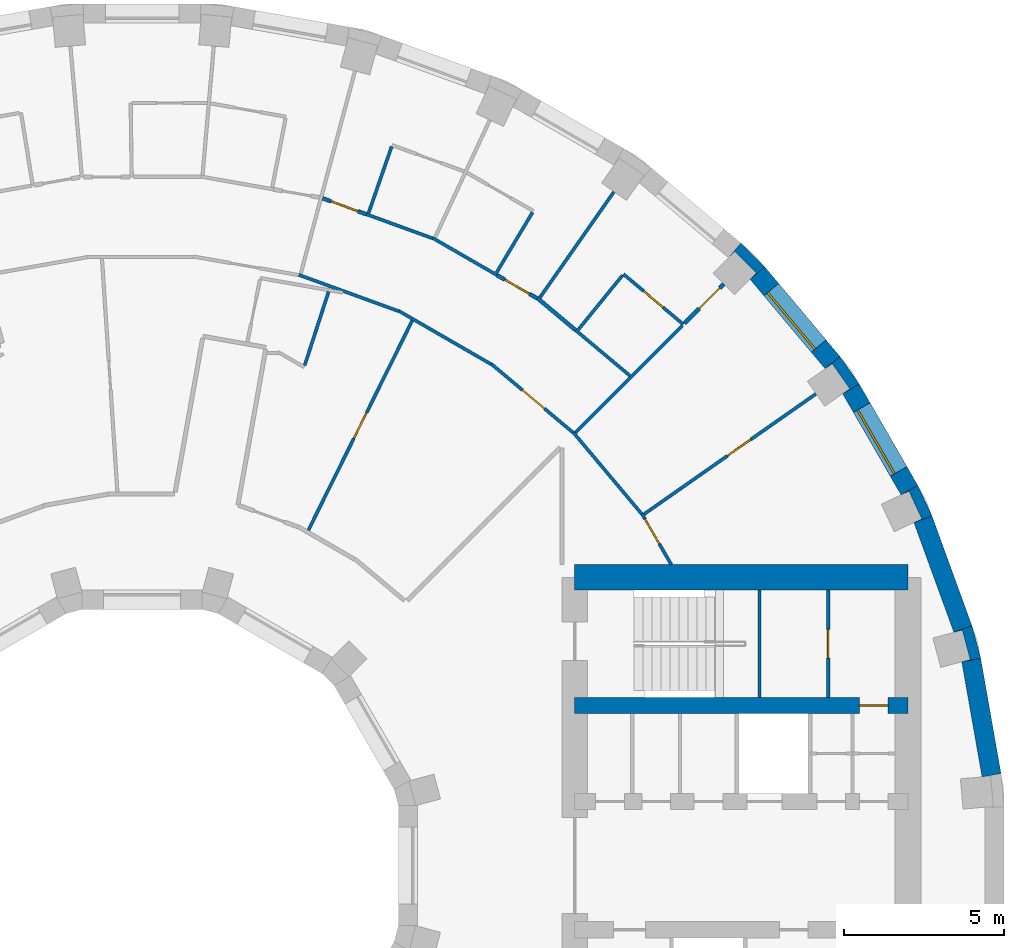
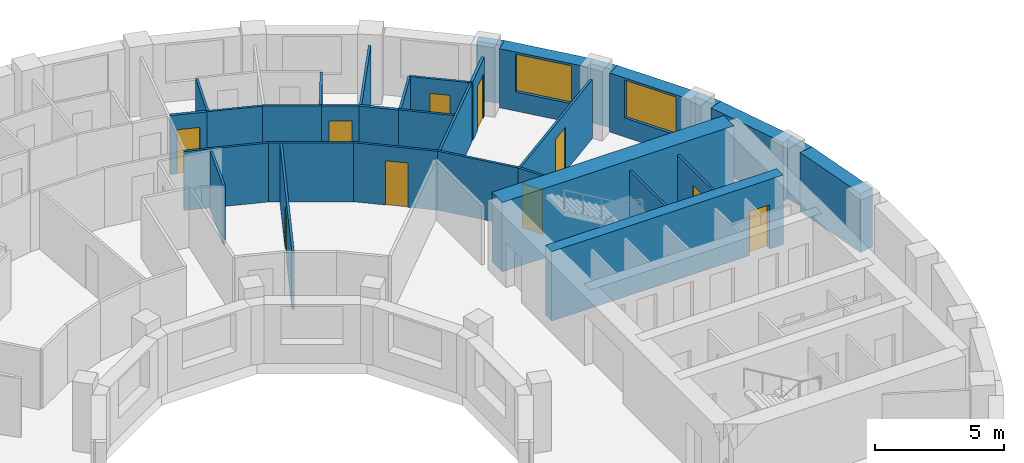
# One storey, part 14 of 16: 33 walls, 10 doors, 2 windows, 12 openings.
"""IFC4 building model written with IfcOpenShell, lengths in metres."""

from ifc_helpers import new_model, si_unit, direction, frame, frame_2d, origin, place, context, subcontext, project, spatial, polyline, rectangle, outline, extrude, material, layer, layer_set, type_object, element, fill, save


model = new_model("IFC4")

# Units and contexts
model_context = context("Model", 3, precision=1e-05, world=origin(), true_north=direction((0.0, 1.0)))
body_context = subcontext(model_context, "Body", "Model", "MODEL_VIEW")
ifc_project = project(units=[si_unit("LENGTHUNIT", "METRE"), si_unit("AREAUNIT", "SQUARE_METRE"), si_unit("VOLUMEUNIT", "CUBIC_METRE"), si_unit("PLANEANGLEUNIT", "RADIAN"), si_unit("MASSUNIT", "GRAM", prefix="KILO")], contexts=[model_context])

# Site, building, storey
site_placement = place(None, origin())
site = spatial("IfcSite", under=ifc_project, at=site_placement, CompositionType="ELEMENT")
building_placement = place(site_placement, origin())
building = spatial("IfcBuilding", under=site, at=building_placement, Name="Saqina Gate Tower", CompositionType="ELEMENT")
storey_placement = place(building_placement, frame((0.0, 0.0, 141.39990234375)))
storey = spatial("IfcBuildingStorey", under=building, at=storey_placement, Name="L40", CompositionType="ELEMENT", Elevation=141.39990234375)

# Walls
ifc_material_1 = material(Name="Brick masonry (buff)", Category="masonry")
wall_type_1 = type_object("IfcWallType", Name="BRICK PIER COPING BUFF", PredefinedType="SOLIDWALL", material=ifc_material_1)
wall_1_placement = place(storey_placement, origin())
element("IfcWall", 1, at=wall_1_placement, inside=storey, type_object=wall_type_1, Name="Pier cap L40 column 2", PredefinedType="SOLIDWALL", context=body_context, shape_type="SweptSolid", body=[
    extrude(outline(polyline([(26.171875, 6.466796875), (25.89892578125, 7.485595703125), (25.335205078125, 7.2802734375), (25.5947265625, 7.349853515625), (25.8408203125, 6.43212890625), (25.5810546875, 6.36279296875), (26.171875, 6.466796875)])), origin(), (0.0, 0.0, 1.0), 2.800048828125),
])
wall_2_placement = place(storey_placement, origin())
element("IfcWall", 2, at=wall_2_placement, inside=storey, type_object=wall_type_1, Name="Pier cap L40 column 3", PredefinedType="SOLIDWALL", context=body_context, shape_type="SweptSolid", body=[
    extrude(outline(polyline([(24.6513671875, 10.913330078125), (24.205810546875, 11.869140625), (23.68603515625, 11.569091796875), (23.9296875, 11.6826171875), (24.331298828125, 10.82177734375), (24.08740234375, 10.7080078125), (24.6513671875, 10.913330078125)])), origin(), (0.0, 0.0, 1.0), 2.800048828125),
])
wall_3_placement = place(storey_placement, origin())
element("IfcWall", 3, at=wall_3_placement, inside=storey, type_object=wall_type_1, Name="Pier cap L40 column 4", PredefinedType="SOLIDWALL", context=body_context, shape_type="SweptSolid", body=[
    extrude(outline(polyline([(21.77685546875, 15.89208984375), (21.317138671875, 15.50634765625), (21.53759765625, 15.66064453125), (22.08251953125, 14.88232421875), (21.862060546875, 14.728271484375), (22.3818359375, 15.0283203125), (21.77685546875, 15.89208984375)])), origin(), (0.0, 0.0, 1.0), 2.800048828125),
])
wall_4_placement = place(storey_placement, origin())
element("IfcWall", 4, at=wall_4_placement, inside=storey, type_object=wall_type_1, Name="Pier cap L40 column 5", PredefinedType="SOLIDWALL", context=body_context, shape_type="SweptSolid", body=[
    extrude(outline(polyline([(19.43212890625, 18.686279296875), (18.686279296875, 19.43212890625), (18.30078125, 18.972412109375), (18.49072265625, 19.16259765625), (19.16259765625, 18.49072265625), (18.972412109375, 18.30078125), (19.43212890625, 18.686279296875)])), origin(), (0.0, 0.0, 1.0), 2.800048828125),
])

# Wall, opening, door
ifc_material_2 = material(Name="Gypsum board on steel studs", Category="steel")
ifc_layer_1 = layer(ifc_material_2, 0.10009765625)
ifc_layer_set_1 = layer_set([ifc_layer_1], Name="CORE PARTITION")
wall_type_2 = type_object("IfcWallType", Name="CORE PARTITION", PredefinedType="PARTITIONING", material=ifc_layer_set_1)
wall_5_placement = place(storey_placement, frame((21.409912109375, 5.25, 0.0), z_axis=(0.0, 0.0, 1.0), x_axis=(0.0, 1.0, 0.0)))
wall_5 = element("IfcWall", 5, at=wall_5_placement, inside=storey, type_object=wall_type_2, Name="L40-CP-E14", PredefinedType="PARTITIONING", context=body_context, shape_type="SweptSolid", body=[
    extrude(rectangle(XDim=3.35009765625, YDim=0.10009765625, at=frame_2d((1.675048828125, 0.0))), origin(), (0.0, 0.0, 1.0), 2.800048828125),
])
opening_1_placement = place(wall_5_placement, frame((1.22509765625, 0.0, 0.0)))
opening_1 = element("IfcOpeningElement", 6, at=opening_1_placement, cuts=wall_5, Name="Opening G12-D100", PredefinedType="OPENING", context=body_context, shape_type="SweptSolid", body=[
    extrude(rectangle(XDim=0.89990234375, YDim=2.10009765625, at=frame_2d((0.449951171875, 1.050048828125))), frame((0.0, 0.06201171875, 0.0), z_axis=(0.0, -1.0, 0.0), x_axis=(1.0, 0.0, 0.0)), (0.0, 0.0, 1.0), 0.1240234375),
])
ifc_material_3 = material(Name="Steel-framed fire door leaf, EI 60", Category="steel")
door_type_1 = type_object("IfcDoorType", Name="SERVICE ROOM DOOR 900", OperationType="SINGLE_SWING_LEFT", PredefinedType="DOOR", material=ifc_material_3)
door_1_placement = place(opening_1_placement, origin())
door_1 = element("IfcDoor", 7, at=door_1_placement, inside=storey, type_object=door_type_1, Name="L40-CD-E11", OperationType="SINGLE_SWING_RIGHT", OverallHeight=2.10009765625, OverallWidth=0.89990234375, PredefinedType="DOOR", context=body_context, shape_type="SweptSolid", body=[
    extrude(rectangle(XDim=0.89990234375, YDim=2.10009765625, at=frame_2d((0.449951171875, 1.050048828125))), frame((0.0, 0.02490234375, 0.0), z_axis=(0.0, -1.0, 0.0), x_axis=(1.0, 0.0, 0.0)), (0.0, 0.0, 1.0), 0.050048828125),
])
fill(opening_1, door_1)

# Wall, opening, window
ifc_material_4 = material(Name="Brick masonry (buff)", Category="masonry")
ifc_layer_2 = layer(ifc_material_4, 0.60009765625)
ifc_layer_set_2 = layer_set([ifc_layer_2], Name="FW-BRICK-BUFF")
wall_type_3 = type_object("IfcWallType", Name="FW-BRICK-BUFF", PredefinedType="SOLIDWALL", material=ifc_layer_set_2)
wall_6_placement = place(storey_placement, frame((23.94580078125, 11.718994140625, 0.0), z_axis=(0.0, 0.0, 1.0), x_axis=(-0.499954196102, 0.866051847062, 0.0)))
wall_6 = element("IfcWall", 8, at=wall_6_placement, inside=storey, type_object=wall_type_3, Name="Facade wall L40 facet 3", PredefinedType="SOLIDWALL", context=body_context, shape_type="SweptSolid", body=[
    extrude(rectangle(XDim=3.647705078125, YDim=0.60009765625, at=frame_2d((1.82373046875, 0.0))), origin(), (0.0, 0.0, 1.0), 2.800048828125),
])
opening_2_placement = place(wall_6_placement, frame((0.673828125, 0.0, 0.89990234375)))
opening_2 = element("IfcOpeningElement", 9, at=opening_2_placement, cuts=wall_6, Name="Opening G12-W01", PredefinedType="OPENING", context=body_context, shape_type="SweptSolid", body=[
    extrude(rectangle(XDim=2.300048828125, YDim=1.800048828125, at=frame_2d((1.14990234375, 0.89990234375))), frame((0.0, 0.31201171875, 0.0), z_axis=(0.0, -1.0, 0.0), x_axis=(1.0, 0.0, 0.0)), (0.0, 0.0, 1.0), 0.6240234375),
])
ifc_material_5 = material(Name="Aluminium glazing", Category="aluminium")
window_type = type_object("IfcWindowType", Name="WN-B", PartitioningType="SINGLE_PANEL", PredefinedType="WINDOW", material=ifc_material_5)
window_1_placement = place(opening_2_placement, origin())
window_1 = element("IfcWindow", 10, at=window_1_placement, inside=storey, type_object=window_type, Name="Window L40 facet 3", OverallHeight=1.800048828125, OverallWidth=2.300048828125, PartitioningType="SINGLE_PANEL", PredefinedType="WINDOW", context=body_context, shape_type="SweptSolid", body=[
    extrude(rectangle(XDim=2.300048828125, YDim=1.800048828125, at=frame_2d((1.14990234375, 0.89990234375))), frame((0.0, 0.179931640625, 0.0), z_axis=(0.0, -1.0, 0.0), x_axis=(1.0, 0.0, 0.0)), (0.0, 0.0, 1.0), 0.06005859375),
])
fill(opening_2, window_1)

wall_7_placement = place(storey_placement, frame((21.547119140625, 15.69921875, 0.0), z_axis=(0.0, 0.0, 1.0), x_axis=(-0.642774476932, 0.766055462616, 0.0)))
wall_7 = element("IfcWall", 11, at=wall_7_placement, inside=storey, type_object=wall_type_3, Name="Facade wall L40 facet 4", PredefinedType="SOLIDWALL", context=body_context, shape_type="SweptSolid", body=[
    extrude(rectangle(XDim=3.647705078125, YDim=0.60009765625, at=frame_2d((1.82373046875, 0.0))), origin(), (0.0, 0.0, 1.0), 2.800048828125),
])
opening_3_placement = place(wall_7_placement, frame((0.673828125, 0.0, 0.89990234375)))
opening_3 = element("IfcOpeningElement", 12, at=opening_3_placement, cuts=wall_7, Name="Opening G12-W02", PredefinedType="OPENING", context=body_context, shape_type="SweptSolid", body=[
    extrude(rectangle(XDim=2.300048828125, YDim=1.800048828125, at=frame_2d((1.14990234375, 0.89990234375))), frame((0.0, 0.31201171875, 0.0), z_axis=(0.0, -1.0, 0.0), x_axis=(1.0, 0.0, 0.0)), (0.0, 0.0, 1.0), 0.6240234375),
])
window_2_placement = place(opening_3_placement, origin())
window_2 = element("IfcWindow", 13, at=window_2_placement, inside=storey, type_object=window_type, Name="Window L40 facet 4", OverallHeight=1.800048828125, OverallWidth=2.300048828125, PartitioningType="SINGLE_PANEL", PredefinedType="WINDOW", context=body_context, shape_type="SweptSolid", body=[
    extrude(rectangle(XDim=2.300048828125, YDim=1.800048828125, at=frame_2d((1.14990234375, 0.89990234375))), frame((0.0, 0.179931640625, 0.0), z_axis=(0.0, -1.0, 0.0), x_axis=(1.0, 0.0, 0.0)), (0.0, 0.0, 1.0), 0.06005859375),
])
fill(opening_3, window_2)

# Walls
ifc_material_6 = material(Name="Glazed ceramic tile", Category="ceramic")
ifc_layer_3 = layer(ifc_material_6, 0.60009765625)
ifc_layer_set_3 = layer_set([ifc_layer_3], Name="FW-TILE")
wall_type_4 = type_object("IfcWallType", Name="FW-TILE", PredefinedType="SOLIDWALL", material=ifc_layer_set_3)
wall_8_placement = place(storey_placement, frame((26.510009765625, 2.822265625, 0.0), z_axis=(0.0, 0.0, 1.0), x_axis=(-0.173670796382, 0.984803764455, 0.0)))
element("IfcWall", 14, at=wall_8_placement, inside=storey, type_object=wall_type_4, Name="Facade wall L40 facet 1", PredefinedType="SOLIDWALL", context=body_context, shape_type="SweptSolid", body=[
    extrude(rectangle(XDim=3.64794921875, YDim=0.60009765625, at=frame_2d((1.823974609375, 0.0))), origin(), (0.0, 0.0, 1.0), 2.800048828125),
])
ifc_material_7 = material(Name="Glazed ceramic tile (dark blue)", Category="ceramic")
ifc_layer_4 = layer(ifc_material_7, 0.60009765625)
ifc_layer_set_4 = layer_set([ifc_layer_4], Name="FW-TILE-CB")
wall_type_5 = type_object("IfcWallType", Name="FW-TILE-CB", PredefinedType="SOLIDWALL", material=ifc_layer_set_4)
wall_9_placement = place(storey_placement, frame((25.616943359375, 7.3828125, 0.0), z_axis=(0.0, 0.0, 1.0), x_axis=(-0.341990236633, 0.939703505393, 0.0)))
element("IfcWall", 15, at=wall_9_placement, inside=storey, type_object=wall_type_5, Name="Facade wall L40 facet 2", PredefinedType="SOLIDWALL", context=body_context, shape_type="SweptSolid", body=[
    extrude(rectangle(XDim=3.64794921875, YDim=0.60009765625, at=frame_2d((1.823974609375, 0.0))), origin(), (0.0, 0.0, 1.0), 2.800048828125),
])

# Wall, opening, door
ifc_material_8 = material(Name="Gypsum board on steel studs, 100 mm", Category="steel")
ifc_layer_5 = layer(ifc_material_8, 0.10009765625)
ifc_layer_set_5 = layer_set([ifc_layer_5], Name="PARTITION 100")
wall_type_6 = type_object("IfcWallType", Name="PARTITION 100", PredefinedType="PARTITIONING", material=ifc_layer_set_5)
wall_10_placement = place(storey_placement, frame((15.5966796875, 10.98291015625, 0.0), z_axis=(0.0, 0.0, 1.0), x_axis=(0.500084239528, -0.865976762607, 0.0)))
wall_10 = element("IfcWall", 16, at=wall_10_placement, inside=storey, type_object=wall_type_6, Name="PARTITION PW3-12", PredefinedType="PARTITIONING", context=body_context, shape_type="SweptSolid", body=[
    extrude(rectangle(XDim=1.830322265625, YDim=0.10009765625, at=frame_2d((0.9150390625, 0.0))), origin(), (0.0, 0.0, 1.0), 2.800048828125),
])
opening_4_placement = place(wall_10_placement, frame((0.1904296875, 0.0, 0.0)))
opening_4 = element("IfcOpeningElement", 17, at=opening_4_placement, cuts=wall_10, Name="Opening G12-D01", PredefinedType="OPENING", context=body_context, shape_type="SweptSolid", body=[
    extrude(rectangle(XDim=0.89990234375, YDim=2.10009765625, at=frame_2d((0.449951171875, 1.050048828125))), frame((0.0, 0.06201171875, 0.0), z_axis=(0.0, -1.0, 0.0), x_axis=(1.0, 0.0, 0.0)), (0.0, 0.0, 1.0), 0.1240234375),
])
ifc_material_9 = material(Name="Timber door leaf, 900 mm", Category="wood")
door_type_2 = type_object("IfcDoorType", Name="DOOR 900 TIMBER", OperationType="SINGLE_SWING_LEFT", PredefinedType="DOOR", material=ifc_material_9)
door_2_placement = place(opening_4_placement, frame((0.89990234375, 0.0, 0.0), z_axis=(0.0, 0.0, 1.0), x_axis=(-1.0, 0.0, 0.0)))
door_2 = element("IfcDoor", 18, at=door_2_placement, inside=storey, type_object=door_type_2, Name="DOOR G12-D01", OperationType="SINGLE_SWING_LEFT", OverallHeight=2.10009765625, OverallWidth=0.89990234375, PredefinedType="DOOR", context=body_context, shape_type="SweptSolid", body=[
    extrude(rectangle(XDim=0.89990234375, YDim=2.10009765625, at=frame_2d((0.449951171875, 1.050048828125))), frame((0.0, 0.02490234375, 0.0), z_axis=(0.0, -1.0, 0.0), x_axis=(1.0, 0.0, 0.0)), (0.0, 0.0, 1.0), 0.050048828125),
])
fill(opening_4, door_2)

# Wall
wall_11_placement = place(storey_placement, frame((13.452392578125, 13.52392578125, 0.0), z_axis=(0.0, 0.0, 1.0), x_axis=(0.642888943472, -0.765959402554, 0.0)))
element("IfcWall", 19, at=wall_11_placement, inside=storey, type_object=wall_type_6, Name="PARTITION PW3-19", PredefinedType="PARTITIONING", context=body_context, shape_type="SweptSolid", body=[
    extrude(rectangle(XDim=3.32470703125, YDim=0.10009765625, at=frame_2d((1.662353515625, 0.0))), origin(), (0.0, 0.0, 1.0), 2.800048828125),
])

# Wall, opening, door
wall_12_placement = place(storey_placement, frame((10.900146484375, 15.654541015625, 0.0), z_axis=(0.0, 0.0, 1.0), x_axis=(0.765959402554, -0.642888943472, 0.0)))
wall_12 = element("IfcWall", 20, at=wall_12_placement, inside=storey, type_object=wall_type_6, Name="PARTITION PW3-29", PredefinedType="PARTITIONING", context=body_context, shape_type="SweptSolid", body=[
    extrude(rectangle(XDim=3.32470703125, YDim=0.10009765625, at=frame_2d((1.662353515625, 0.0))), origin(), (0.0, 0.0, 1.0), 2.800048828125),
])
opening_5_placement = place(wall_12_placement, frame((1.2626953125, 0.0, 0.0)))
opening_5 = element("IfcOpeningElement", 21, at=opening_5_placement, cuts=wall_12, Name="Opening G12-D05", PredefinedType="OPENING", context=body_context, shape_type="SweptSolid", body=[
    extrude(rectangle(XDim=0.89990234375, YDim=2.10009765625, at=frame_2d((0.449951171875, 1.050048828125))), frame((0.0, 0.06201171875, 0.0), z_axis=(0.0, -1.0, 0.0), x_axis=(1.0, 0.0, 0.0)), (0.0, 0.0, 1.0), 0.1240234375),
])
door_3_placement = place(opening_5_placement, frame((0.89990234375, 0.0, 0.0), z_axis=(0.0, 0.0, 1.0), x_axis=(-1.0, 0.0, 0.0)))
door_3 = element("IfcDoor", 22, at=door_3_placement, inside=storey, type_object=door_type_2, Name="DOOR G12-D05", OperationType="SINGLE_SWING_LEFT", OverallHeight=2.10009765625, OverallWidth=0.89990234375, PredefinedType="DOOR", context=body_context, shape_type="SweptSolid", body=[
    extrude(rectangle(XDim=0.89990234375, YDim=2.10009765625, at=frame_2d((0.449951171875, 1.050048828125))), frame((0.0, 0.02490234375, 0.0), z_axis=(0.0, -1.0, 0.0), x_axis=(1.0, 0.0, 0.0)), (0.0, 0.0, 1.0), 0.050048828125),
])
fill(opening_5, door_3)

# Wall
wall_13_placement = place(storey_placement, frame((13.53173828125, 16.708251953125, 0.0), z_axis=(0.0, 0.0, 1.0), x_axis=(0.766038513467, -0.642794676305, 0.0)))
element("IfcWall", 23, at=wall_13_placement, inside=storey, type_object=wall_type_6, Name="PARTITION PW3-30", PredefinedType="PARTITIONING", context=body_context, shape_type="SweptSolid", body=[
    extrude(rectangle(XDim=2.204833984375, YDim=0.10009765625, at=frame_2d((1.1025390625, 0.0))), origin(), (0.0, 0.0, 1.0), 2.800048828125),
])

# Wall, opening, door
wall_14_placement = place(storey_placement, frame((15.02197265625, 18.4599609375, 0.0), z_axis=(0.0, 0.0, 1.0), x_axis=(0.765953139847, -0.642896404997, 0.0)))
wall_14 = element("IfcWall", 24, at=wall_14_placement, inside=storey, type_object=wall_type_6, Name="PARTITION PW3-31", PredefinedType="PARTITIONING", context=body_context, shape_type="SweptSolid", body=[
    extrude(rectangle(XDim=2.440185546875, YDim=0.10009765625, at=frame_2d((1.22021484375, 0.0))), origin(), (0.0, 0.0, 1.0), 2.800048828125),
])
opening_6_placement = place(wall_14_placement, frame((0.820068359375, 0.0, 0.0)))
opening_6 = element("IfcOpeningElement", 25, at=opening_6_placement, cuts=wall_14, Name="Opening G12-D04", PredefinedType="OPENING", context=body_context, shape_type="SweptSolid", body=[
    extrude(rectangle(XDim=0.800048828125, YDim=2.10009765625, at=frame_2d((0.39990234375, 1.050048828125))), frame((0.0, 0.06201171875, 0.0), z_axis=(0.0, -1.0, 0.0), x_axis=(1.0, 0.0, 0.0)), (0.0, 0.0, 1.0), 0.1240234375),
])
ifc_material_10 = material(Name="Timber door leaf, 800 mm", Category="wood")
door_type_3 = type_object("IfcDoorType", Name="DOOR 800 TIMBER", OperationType="SINGLE_SWING_LEFT", PredefinedType="DOOR", material=ifc_material_10)
door_4_placement = place(opening_6_placement, origin())
door_4 = element("IfcDoor", 26, at=door_4_placement, inside=storey, type_object=door_type_3, Name="DOOR G12-D04", OperationType="SINGLE_SWING_LEFT", OverallHeight=2.10009765625, OverallWidth=0.800048828125, PredefinedType="DOOR", context=body_context, shape_type="SweptSolid", body=[
    extrude(rectangle(XDim=0.800048828125, YDim=2.10009765625, at=frame_2d((0.39990234375, 1.050048828125))), frame((0.0, 0.02490234375, 0.0), z_axis=(0.0, -1.0, 0.0), x_axis=(1.0, 0.0, 0.0)), (0.0, 0.0, 1.0), 0.050048828125),
])
fill(opening_6, door_4)

# Walls
wall_15_placement = place(storey_placement, frame((8.01611328125, 17.309326171875, 0.0), z_axis=(0.0, 0.0, 1.0), x_axis=(0.865920199123, -0.500182175564, 0.0)))
element("IfcWall", 27, at=wall_15_placement, inside=storey, type_object=wall_type_6, Name="PARTITION PW3-42", PredefinedType="PARTITIONING", context=body_context, shape_type="SweptSolid", body=[
    extrude(rectangle(XDim=3.324951171875, YDim=0.10009765625, at=frame_2d((1.66259765625, 0.0))), origin(), (0.0, 0.0, 1.0), 2.800048828125),
])
wall_16_placement = place(storey_placement, frame((9.075927734375, 19.58349609375, 0.0), z_axis=(0.0, 0.0, 1.0), x_axis=(0.865841628869, -0.500318172484, 0.0)))
element("IfcWall", 28, at=wall_16_placement, inside=storey, type_object=wall_type_6, Name="PARTITION PW3-43", PredefinedType="PARTITIONING", context=body_context, shape_type="SweptSolid", body=[
    extrude(rectangle(XDim=2.3056640625, YDim=0.10009765625, at=frame_2d((1.15283203125, 0.0))), origin(), (0.0, 0.0, 1.0), 2.800048828125),
])
wall_17_placement = place(storey_placement, frame((4.88818359375, 18.4384765625, 0.0), z_axis=(0.0, 0.0, 1.0), x_axis=(0.939679760884, -0.342055473549, 0.0)))
element("IfcWall", 29, at=wall_17_placement, inside=storey, type_object=wall_type_6, Name="PARTITION PW3-50", PredefinedType="PARTITIONING", context=body_context, shape_type="SweptSolid", body=[
    extrude(rectangle(XDim=3.325439453125, YDim=0.10009765625, at=frame_2d((1.66259765625, 0.0))), origin(), (0.0, 0.0, 1.0), 2.800048828125),
])
wall_18_placement = place(storey_placement, frame((7.000732421875, 20.32861328125, 0.0), z_axis=(0.0, 0.0, 1.0), x_axis=(0.939728749343, -0.341920864613, 0.0)))
element("IfcWall", 30, at=wall_18_placement, inside=storey, type_object=wall_type_6, Name="PARTITION PW3-51", PredefinedType="PARTITIONING", context=body_context, shape_type="SweptSolid", body=[
    extrude(rectangle(XDim=2.204833984375, YDim=0.10009765625, at=frame_2d((1.1025390625, 0.0))), origin(), (0.0, 0.0, 1.0), 2.800048828125),
])

# Wall, opening, door
wall_19_placement = place(storey_placement, frame((15.662841796875, 10.9677734375, 0.0), z_axis=(0.0, 0.0, 1.0), x_axis=(0.8192371786, 0.573454832746, 0.0)))
wall_19 = element("IfcWall", 31, at=wall_19_placement, inside=storey, type_object=wall_type_6, Name="PARTITION PW3-78", PredefinedType="PARTITIONING", context=body_context, shape_type="SweptSolid", body=[
    extrude(rectangle(XDim=6.5439453125, YDim=0.10009765625, at=frame_2d((3.27197265625, 0.0))), origin(), (0.0, 0.0, 1.0), 2.800048828125),
])
opening_7_placement = place(wall_19_placement, frame((3.16455078125, 0.0, 0.0)))
opening_7 = element("IfcOpeningElement", 32, at=opening_7_placement, cuts=wall_19, Name="Opening G12-D02", PredefinedType="OPENING", context=body_context, shape_type="SweptSolid", body=[
    extrude(rectangle(XDim=0.89990234375, YDim=2.10009765625, at=frame_2d((0.449951171875, 1.050048828125))), frame((0.0, 0.06201171875, 0.0), z_axis=(0.0, -1.0, 0.0), x_axis=(1.0, 0.0, 0.0)), (0.0, 0.0, 1.0), 0.1240234375),
])
door_5_placement = place(opening_7_placement, frame((0.89990234375, 0.0, 0.0), z_axis=(0.0, 0.0, 1.0), x_axis=(-1.0, 0.0, 0.0)))
door_5 = element("IfcDoor", 33, at=door_5_placement, inside=storey, type_object=door_type_2, Name="DOOR G12-D02", OperationType="SINGLE_SWING_LEFT", OverallHeight=2.10009765625, OverallWidth=0.89990234375, PredefinedType="DOOR", context=body_context, shape_type="SweptSolid", body=[
    extrude(rectangle(XDim=0.89990234375, YDim=2.10009765625, at=frame_2d((0.449951171875, 1.050048828125))), frame((0.0, 0.02490234375, 0.0), z_axis=(0.0, -1.0, 0.0), x_axis=(1.0, 0.0, 0.0)), (0.0, 0.0, 1.0), 0.050048828125),
])
fill(opening_7, door_5)

# Walls
wall_20_placement = place(storey_placement, frame((13.520263671875, 13.520263671875, 0.0), z_axis=(0.0, 0.0, 1.0), x_axis=(0.707106781187, 0.707106781187, 0.0)))
element("IfcWall", 34, at=wall_20_placement, inside=storey, type_object=wall_type_6, Name="PARTITION PW3-88", PredefinedType="PARTITIONING", context=body_context, shape_type="SweptSolid", body=[
    extrude(rectangle(XDim=4.717041015625, YDim=0.10009765625, at=frame_2d((2.3583984375, 0.0))), origin(), (0.0, 0.0, 1.0), 2.800048828125),
])
wall_21_placement = place(storey_placement, frame((13.609375, 16.724365234375, 0.0), z_axis=(0.0, 0.0, 1.0), x_axis=(0.631272959342, 0.77556073315, 0.0)))
element("IfcWall", 35, at=wall_21_placement, inside=storey, type_object=wall_type_6, Name="PARTITION PW3-96", PredefinedType="PARTITIONING", context=body_context, shape_type="SweptSolid", body=[
    extrude(rectangle(XDim=2.187744140625, YDim=0.10009765625, at=frame_2d((1.09375, 0.0))), origin(), (0.0, 0.0, 1.0), 2.800048828125),
])
wall_22_placement = place(storey_placement, frame((12.412841796875, 17.728271484375, 0.0), z_axis=(0.0, 0.0, 1.0), x_axis=(0.573641530368, 0.819106461113, 0.0)))
element("IfcWall", 36, at=wall_22_placement, inside=storey, type_object=wall_type_6, Name="PARTITION PW3-98", PredefinedType="PARTITIONING", context=body_context, shape_type="SweptSolid", body=[
    extrude(rectangle(XDim=4.023193359375, YDim=0.10009765625, at=frame_2d((2.01171875, 0.0))), origin(), (0.0, 0.0, 1.0), 2.800048828125),
])
wall_23_placement = place(storey_placement, frame((11.06103515625, 18.508544921875, 0.0), z_axis=(0.0, 0.0, 1.0), x_axis=(0.512903306279, 0.85844638645, 0.0)))
element("IfcWall", 37, at=wall_23_placement, inside=storey, type_object=wall_type_6, Name="PARTITION PW3-101", PredefinedType="PARTITIONING", context=body_context, shape_type="SweptSolid", body=[
    extrude(rectangle(XDim=2.188232421875, YDim=0.10009765625, at=frame_2d((1.09423828125, 0.0))), origin(), (0.0, 0.0, 1.0), 2.800048828125),
])

# Wall, opening, door
wall_24_placement = place(storey_placement, frame((5.18896484375, 10.470458984375, 0.0), z_axis=(0.0, 0.0, 1.0), x_axis=(0.444040739055, 0.896006597107, 0.0)))
wall_24 = element("IfcWall", 38, at=wall_24_placement, inside=storey, type_object=wall_type_6, Name="PARTITION PW3-105", PredefinedType="PARTITIONING", context=body_context, shape_type="SweptSolid", body=[
    extrude(rectangle(XDim=7.301025390625, YDim=0.10009765625, at=frame_2d((3.650390625, 0.0))), origin(), (0.0, 0.0, 1.0), 2.800048828125),
])
opening_8_placement = place(wall_24_placement, frame((3.193115234375, 0.0, 0.0)))
opening_8 = element("IfcOpeningElement", 39, at=opening_8_placement, cuts=wall_24, Name="Opening G12-D08", PredefinedType="OPENING", context=body_context, shape_type="SweptSolid", body=[
    extrude(rectangle(XDim=0.89990234375, YDim=2.10009765625, at=frame_2d((0.449951171875, 1.050048828125))), frame((0.0, 0.06201171875, 0.0), z_axis=(0.0, -1.0, 0.0), x_axis=(1.0, 0.0, 0.0)), (0.0, 0.0, 1.0), 0.1240234375),
])
door_6_placement = place(opening_8_placement, origin())
door_6 = element("IfcDoor", 40, at=door_6_placement, inside=storey, type_object=door_type_2, Name="DOOR G12-D08", OperationType="SINGLE_SWING_LEFT", OverallHeight=2.10009765625, OverallWidth=0.89990234375, PredefinedType="DOOR", context=body_context, shape_type="SweptSolid", body=[
    extrude(rectangle(XDim=0.89990234375, YDim=2.10009765625, at=frame_2d((0.449951171875, 1.050048828125))), frame((0.0, 0.02490234375, 0.0), z_axis=(0.0, -1.0, 0.0), x_axis=(1.0, 0.0, 0.0)), (0.0, 0.0, 1.0), 0.050048828125),
])
fill(opening_8, door_6)

# Walls
wall_25_placement = place(storey_placement, frame((7.064453125, 20.359130859375, 0.0), z_axis=(0.0, 0.0, 1.0), x_axis=(0.327788872324, 0.944751001683, 0.0)))
element("IfcWall", 41, at=wall_25_placement, inside=storey, type_object=wall_type_6, Name="PARTITION PW3-110", PredefinedType="PARTITIONING", context=body_context, shape_type="SweptSolid", body=[
    extrude(rectangle(XDim=2.2001953125, YDim=0.10009765625, at=frame_2d((1.10009765625, 0.0))), origin(), (0.0, 0.0, 1.0), 2.800048828125),
])
wall_26_placement = place(storey_placement, frame((5.07177734375, 15.608642578125, 0.0), z_axis=(0.0, 0.0, 1.0), x_axis=(0.30874872516, 0.95114364042, 0.0)))
element("IfcWall", 42, at=wall_26_placement, inside=storey, type_object=wall_type_6, Name="PARTITION PW3-111", PredefinedType="PARTITIONING", context=body_context, shape_type="SweptSolid", body=[
    extrude(rectangle(XDim=2.422119140625, YDim=0.10009765625, at=frame_2d((1.2109375, 0.0))), origin(), (0.0, 0.0, 1.0), 2.800048828125),
])
ifc_material_11 = material(Name="Gypsum board on steel studs, 125 mm, fire rated", Category="steel")
ifc_layer_6 = layer(ifc_material_11, 0.125)
ifc_layer_set_6 = layer_set([ifc_layer_6], Name="PARTITION EI 30 125")
wall_type_7 = type_object("IfcWallType", Name="PARTITION EI 30 125", PredefinedType="PARTITIONING", material=ifc_layer_set_6)
wall_27_placement = place(storey_placement, frame((12.328369140625, 17.7177734375, 0.0), z_axis=(0.0, 0.0, 1.0), x_axis=(0.76611500949, -0.642703502585, 0.0)))
element("IfcWall", 43, at=wall_27_placement, inside=storey, type_object=wall_type_7, Name="PARTITION PW1-14", PredefinedType="PARTITIONING", context=body_context, shape_type="SweptSolid", body=[
    extrude(rectangle(XDim=1.57080078125, YDim=0.125, at=frame_2d((0.785400390625, 0.0))), origin(), (0.0, 0.0, 1.0), 2.800048828125),
])

# Wall, opening, door
wall_28_placement = place(storey_placement, frame((11.072265625, 18.429931640625, 0.0), z_axis=(0.0, 0.0, 1.0), x_axis=(0.866112382925, -0.499849317439, 0.0)))
wall_28 = element("IfcWall", 44, at=wall_28_placement, inside=storey, type_object=wall_type_7, Name="PARTITION PW1-19", PredefinedType="PARTITIONING", context=body_context, shape_type="SweptSolid", body=[
    extrude(rectangle(XDim=1.44384765625, YDim=0.125, at=frame_2d((0.721923828125, 0.0))), origin(), (0.0, 0.0, 1.0), 2.800048828125),
])
opening_9_placement = place(wall_28_placement, frame((0.2783203125, 0.0, 0.0)))
opening_9 = element("IfcOpeningElement", 45, at=opening_9_placement, cuts=wall_28, Name="Opening G12-D06", PredefinedType="OPENING", context=body_context, shape_type="SweptSolid", body=[
    extrude(rectangle(XDim=0.89990234375, YDim=2.10009765625, at=frame_2d((0.449951171875, 1.050048828125))), frame((0.0, 0.074462890625, 0.0), z_axis=(0.0, -1.0, 0.0), x_axis=(1.0, 0.0, 0.0)), (0.0, 0.0, 1.0), 0.14892578125),
])
ifc_material_12 = material(Name="Fire door leaf EI 30, 900 mm")
door_type_4 = type_object("IfcDoorType", Name="DOOR 900 EI 30", OperationType="SINGLE_SWING_LEFT", PredefinedType="DOOR", material=ifc_material_12)
door_7_placement = place(opening_9_placement, frame((0.89990234375, 0.0, 0.0), z_axis=(0.0, 0.0, 1.0), x_axis=(-1.0, 0.0, 0.0)))
door_7 = element("IfcDoor", 46, at=door_7_placement, inside=storey, type_object=door_type_4, Name="DOOR G12-D06", OperationType="SINGLE_SWING_LEFT", OverallHeight=2.10009765625, OverallWidth=0.89990234375, PredefinedType="DOOR", context=body_context, shape_type="SweptSolid", body=[
    extrude(rectangle(XDim=0.89990234375, YDim=2.10009765625, at=frame_2d((0.449951171875, 1.050048828125))), frame((0.0, 0.02490234375, 0.0), z_axis=(0.0, -1.0, 0.0), x_axis=(1.0, 0.0, 0.0)), (0.0, 0.0, 1.0), 0.050048828125),
])
fill(opening_9, door_7)

wall_29_placement = place(storey_placement, frame((5.633056640625, 20.826904296875, 0.0), z_axis=(0.0, 0.0, 1.0), x_axis=(0.939292989356, -0.343116132159, 0.0)))
wall_29 = element("IfcWall", 47, at=wall_29_placement, inside=storey, type_object=wall_type_7, Name="PARTITION PW1-20", PredefinedType="PARTITIONING", context=body_context, shape_type="SweptSolid", body=[
    extrude(rectangle(XDim=1.455810546875, YDim=0.125, at=frame_2d((0.72802734375, 0.0))), origin(), (0.0, 0.0, 1.0), 2.800048828125),
])
opening_10_placement = place(wall_29_placement, frame((0.27783203125, 0.0, 0.0)))
opening_10 = element("IfcOpeningElement", 48, at=opening_10_placement, cuts=wall_29, Name="Opening G12-D11", PredefinedType="OPENING", context=body_context, shape_type="SweptSolid", body=[
    extrude(rectangle(XDim=0.89990234375, YDim=2.10009765625, at=frame_2d((0.449951171875, 1.050048828125))), frame((0.0, 0.074462890625, 0.0), z_axis=(0.0, -1.0, 0.0), x_axis=(1.0, 0.0, 0.0)), (0.0, 0.0, 1.0), 0.14892578125),
])
door_8_placement = place(opening_10_placement, frame((0.89990234375, 0.0, 0.0), z_axis=(0.0, 0.0, 1.0), x_axis=(-1.0, 0.0, 0.0)))
door_8 = element("IfcDoor", 49, at=door_8_placement, inside=storey, type_object=door_type_4, Name="DOOR G12-D11", OperationType="SINGLE_SWING_RIGHT", OverallHeight=2.10009765625, OverallWidth=0.89990234375, PredefinedType="DOOR", context=body_context, shape_type="SweptSolid", body=[
    extrude(rectangle(XDim=0.89990234375, YDim=2.10009765625, at=frame_2d((0.449951171875, 1.050048828125))), frame((0.0, 0.02490234375, 0.0), z_axis=(0.0, -1.0, 0.0), x_axis=(1.0, 0.0, 0.0)), (0.0, 0.0, 1.0), 0.050048828125),
])
fill(opening_10, door_8)

wall_30_placement = place(storey_placement, frame((16.92626953125, 16.92626953125, 0.0), z_axis=(0.0, 0.0, 1.0), x_axis=(0.707106781187, 0.707106781187, 0.0)))
wall_30 = element("IfcWall", 50, at=wall_30_placement, inside=storey, type_object=wall_type_7, Name="PARTITION PW1-50", PredefinedType="PARTITIONING", context=body_context, shape_type="SweptSolid", body=[
    extrude(rectangle(XDim=1.727783203125, YDim=0.125, at=frame_2d((0.86376953125, 0.0))), origin(), (0.0, 0.0, 1.0), 2.800048828125),
])
opening_11_placement = place(wall_30_placement, frame((0.655029296875, 0.0, 0.0)))
opening_11 = element("IfcOpeningElement", 51, at=opening_11_placement, cuts=wall_30, Name="Opening G12-D03", PredefinedType="OPENING", context=body_context, shape_type="SweptSolid", body=[
    extrude(rectangle(XDim=0.89990234375, YDim=2.10009765625, at=frame_2d((0.449951171875, 1.050048828125))), frame((0.0, 0.074462890625, 0.0), z_axis=(0.0, -1.0, 0.0), x_axis=(1.0, 0.0, 0.0)), (0.0, 0.0, 1.0), 0.14892578125),
])
door_9_placement = place(opening_11_placement, frame((0.89990234375, 0.0, 0.0), z_axis=(0.0, 0.0, 1.0), x_axis=(-1.0, 0.0, 0.0)))
door_9 = element("IfcDoor", 52, at=door_9_placement, inside=storey, type_object=door_type_4, Name="DOOR G12-D03", OperationType="SINGLE_SWING_LEFT", OverallHeight=2.10009765625, OverallWidth=0.89990234375, PredefinedType="DOOR", context=body_context, shape_type="SweptSolid", body=[
    extrude(rectangle(XDim=0.89990234375, YDim=2.10009765625, at=frame_2d((0.449951171875, 1.050048828125))), frame((0.0, 0.02490234375, 0.0), z_axis=(0.0, -1.0, 0.0), x_axis=(1.0, 0.0, 0.0)), (0.0, 0.0, 1.0), 0.050048828125),
])
fill(opening_11, door_9)

# Wall
ifc_material_13 = material(Name="Autoclaved aerated concrete block", Category="concrete")
ifc_layer_7 = layer(ifc_material_13, 0.10009765625)
ifc_layer_set_7 = layer_set([ifc_layer_7], Name="STAIR ENCLOSURE WALL")
wall_type_8 = type_object("IfcWallType", Name="STAIR ENCLOSURE WALL", PredefinedType="PARTITIONING", material=ifc_layer_set_7)
wall_31_placement = place(storey_placement, frame((19.27001953125, 5.25, 0.0), z_axis=(0.0, 0.0, 1.0), x_axis=(0.0, 1.0, 0.0)))
element("IfcWall", 53, at=wall_31_placement, inside=storey, type_object=wall_type_8, Name="L40-CP-E13", PredefinedType="PARTITIONING", context=body_context, shape_type="SweptSolid", body=[
    extrude(rectangle(XDim=3.35009765625, YDim=0.10009765625, at=frame_2d((1.675048828125, 0.0))), origin(), (0.0, 0.0, 1.0), 2.800048828125),
])

# Wall, opening, door
ifc_material_14 = material(Name="Concrete C70/85", Category="concrete")
ifc_layer_8 = layer(ifc_material_14, 0.5)
ifc_layer_set_8 = layer_set([ifc_layer_8], Name="Concrete C70/85")
wall_type_9 = type_object("IfcWallType", Name="STR-CORE WALL-B-I", PredefinedType="SHEAR", material=ifc_layer_set_8)
wall_32_placement = place(storey_placement, frame((13.5, 5.0, 0.0), z_axis=(0.0, 0.0, 1.0), x_axis=(1.0, 0.0, 0.0)))
wall_32 = element("IfcWall", 54, at=wall_32_placement, inside=storey, type_object=wall_type_9, Name="CORE WALL L40 E-X1", PredefinedType="SHEAR", context=body_context, shape_type="SweptSolid", body=[
    extrude(rectangle(XDim=10.39990234375, YDim=0.5, at=frame_2d((5.199951171875, 0.0))), origin(), (0.0, 0.0, 1.0), 3.300048828125),
])
opening_12_placement = place(wall_32_placement, frame((8.885009765625, 0.0, 0.0)))
opening_12 = element("IfcOpeningElement", 55, at=opening_12_placement, cuts=wall_32, Name="Opening G12-D101", PredefinedType="OPENING", context=body_context, shape_type="SweptSolid", body=[
    extrude(rectangle(XDim=0.89990234375, YDim=2.10009765625, at=frame_2d((0.449951171875, 1.050048828125))), frame((0.0, 0.261962890625, 0.0), z_axis=(0.0, -1.0, 0.0), x_axis=(1.0, 0.0, 0.0)), (0.0, 0.0, 1.0), 0.52392578125),
])
door_10_placement = place(opening_12_placement, origin())
door_10 = element("IfcDoor", 56, at=door_10_placement, inside=storey, type_object=door_type_1, Name="L40-CD-E12", OperationType="SINGLE_SWING_RIGHT", OverallHeight=2.10009765625, OverallWidth=0.89990234375, PredefinedType="DOOR", context=body_context, shape_type="SweptSolid", body=[
    extrude(rectangle(XDim=0.89990234375, YDim=2.10009765625, at=frame_2d((0.449951171875, 1.050048828125))), frame((0.0, 0.02490234375, 0.0), z_axis=(0.0, -1.0, 0.0), x_axis=(1.0, 0.0, 0.0)), (0.0, 0.0, 1.0), 0.050048828125),
])
fill(opening_12, door_10)

# Wall
ifc_material_15 = material(Name="Concrete C70/85", Category="concrete")
ifc_layer_9 = layer(ifc_material_15, 0.800048828125)
ifc_layer_set_9 = layer_set([ifc_layer_9], Name="Concrete C70/85")
wall_type_10 = type_object("IfcWallType", Name="STR-CORE WALL-B-O", PredefinedType="SHEAR", material=ifc_layer_set_9)
wall_33_placement = place(storey_placement, frame((13.5, 9.0, 0.0), z_axis=(0.0, 0.0, 1.0), x_axis=(1.0, 0.0, 0.0)))
element("IfcWall", 57, at=wall_33_placement, inside=storey, type_object=wall_type_10, Name="CORE WALL L40 E-NE", PredefinedType="SHEAR", context=body_context, shape_type="SweptSolid", body=[
    extrude(rectangle(XDim=10.39990234375, YDim=0.800048828125, at=frame_2d((5.199951171875, 0.0))), origin(), (0.0, 0.0, 1.0), 3.300048828125),
])

save(model, "model.ifc")
